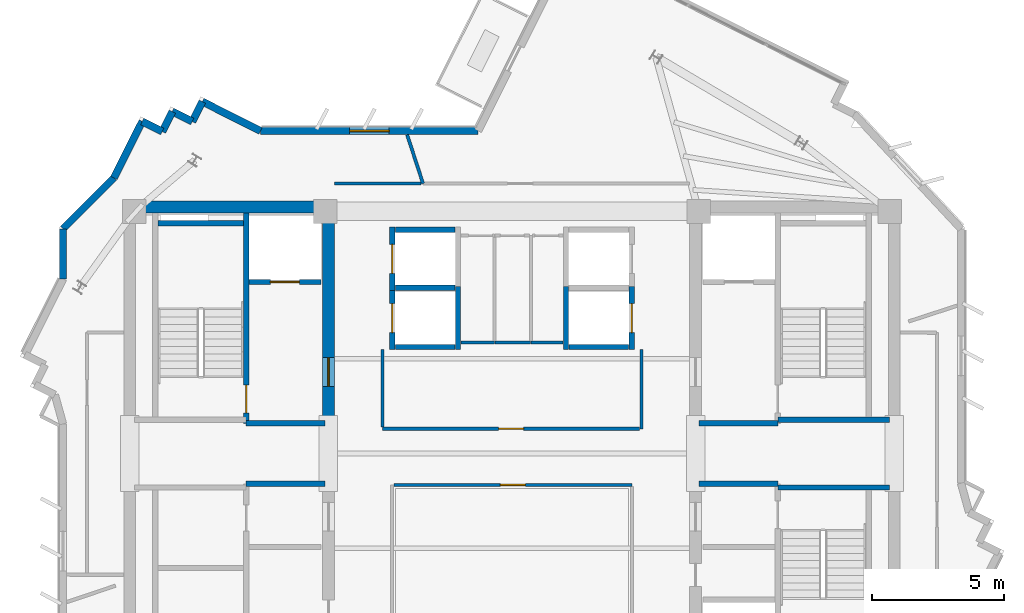
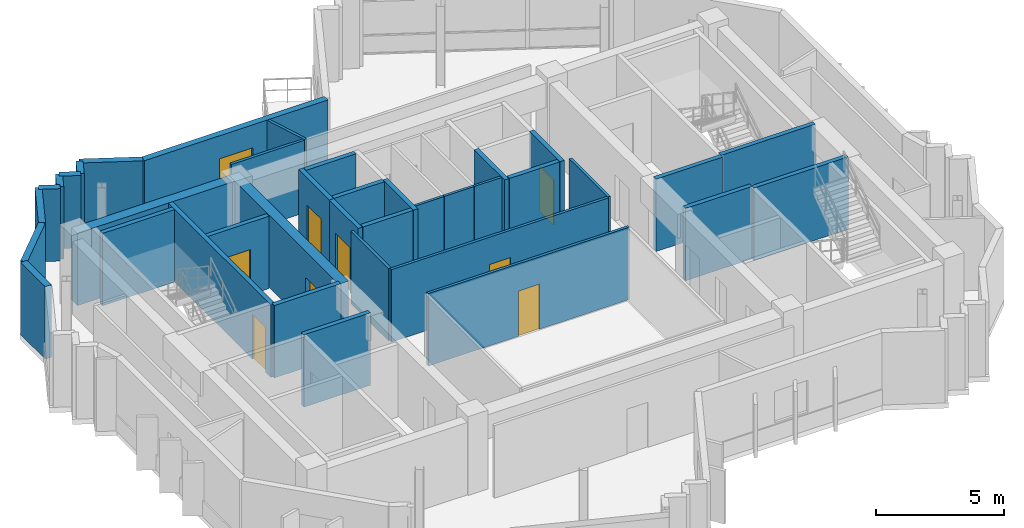
# One storey, part 7 of 11: 38 walls, 8 doors, 1 window, 9 openings.
"""IFC4 building model written with IfcOpenShell, lengths in metres."""

from ifc_helpers import new_model, si_unit, direction, frame, frame_2d, origin, place, context, subcontext, project, spatial, rectangle, extrude, source, transform, mapped, material, layer, layer_set, type_object, element, fill, save


model = new_model("IFC4")

# Units and contexts
model_context = context("Model", 3, precision=1e-05, world=origin(), true_north=direction((0.0, 1.0)))
body_context = subcontext(model_context, "Body", "Model", "MODEL_VIEW")
ifc_project = project(units=[si_unit("LENGTHUNIT", "METRE"), si_unit("AREAUNIT", "SQUARE_METRE"), si_unit("VOLUMEUNIT", "CUBIC_METRE"), si_unit("PLANEANGLEUNIT", "RADIAN"), si_unit("MASSUNIT", "GRAM", prefix="KILO")], contexts=[model_context])

# Site, building, storey
site_placement = place(None, origin())
site = spatial("IfcSite", under=ifc_project, at=site_placement, CompositionType="ELEMENT")
building_placement = place(site_placement, origin())
building = spatial("IfcBuilding", under=site, at=building_placement, Name="Zahravan Cultural Tower", CompositionType="ELEMENT")
storey_placement = place(building_placement, frame((0.0, 0.0, 357.300048828125)))
storey = spatial("IfcBuildingStorey", under=building, at=storey_placement, Name="L87", CompositionType="ELEMENT", Elevation=357.300048828125)

# Wall, opening, door
ifc_material_1 = material(Name="Concrete C50/60", Category="concrete")
ifc_layer_1 = layer(ifc_material_1, 0.449951171875)
ifc_layer_set_1 = layer_set([ifc_layer_1], Name="Concrete C50/60")
wall_type_1 = type_object("IfcWallType", Name="CW-SHEAR-450-C50", PredefinedType="SHEAR", material=ifc_layer_set_1)
wall_1_placement = place(storey_placement, frame((29.02490234375, 28.050048828125, 0.0), z_axis=(0.0, 0.0, 1.0), x_axis=(0.0, 1.0, 0.0)))
wall_1 = element("IfcWall", 1, at=wall_1_placement, inside=storey, type_object=wall_type_1, Name="L87 Core Shear Wall CW-W-EN-L87", PredefinedType="SHEAR", context=body_context, shape_type="SweptSolid", body=[
    extrude(rectangle(XDim=8.550048828125, YDim=0.449951171875, at=frame_2d((4.27490234375, 0.0))), origin(), (0.0, 0.0, 1.0), 3.449951171875),
])
opening_1_placement = place(wall_1_placement, frame((1.5, 0.0, 0.0)))
opening_1 = element("IfcOpeningElement", 2, at=opening_1_placement, cuts=wall_1, Name="Opening D-L87-06", PredefinedType="OPENING", context=body_context, shape_type="SweptSolid", body=[
    extrude(rectangle(XDim=1.10009765625, YDim=2.199951171875, at=frame_2d((0.550048828125, 1.10009765625))), frame((0.0, 0.23486328125, 0.0), z_axis=(0.0, -1.0, 0.0), x_axis=(1.0, 0.0, 0.0)), (0.0, 0.0, 1.0), 0.469970703125),
])
ifc_material_2 = material(Name="Steel ASTM A572 Grade 50", Category="steel")
door_type_1 = type_object("IfcDoorType", Name="DR-LOBBY-1100", OperationType="NOTDEFINED", PredefinedType="DOOR", material=ifc_material_2)
shared_shape_1 = source(origin(), body_context, "Body", "SweptSolid", [
    extrude(rectangle(XDim=1.10009765625, YDim=2.199951171875, at=frame_2d((0.550048828125, 1.10009765625))), frame((0.0, 0.02490234375, 0.0), z_axis=(0.0, -1.0, 0.0), x_axis=(1.0, 0.0, 0.0)), (0.0, 0.0, 1.0), 0.050048828125),
])
door_1_placement = place(opening_1_placement, origin())
door_1 = element("IfcDoor", 3, at=door_1_placement, inside=storey, type_object=door_type_1, Name="L87 Door D-L87-06", OperationType="SINGLE_SWING_LEFT", OverallHeight=2.199951171875, OverallWidth=1.10009765625, PredefinedType="DOOR", context=body_context, shape_type="MappedRepresentation", body=[
    mapped(shared_shape_1, transform((0.0, 0.0, 0.0), x_axis=(1.0, 0.0, 0.0), y_axis=(0.0, 1.0, 0.0), z_axis=(0.0, 0.0, 1.0), scale=1.0)),
])
fill(opening_1, door_1)

# Wall, opening, window
ifc_material_3 = material(Name="Precast concrete C40/50", Category="concrete")
ifc_layer_2 = layer(ifc_material_3, 0.280029296875)
ifc_layer_set_2 = layer_set([ifc_layer_2], Name="Precast concrete C40/50")
wall_type_2 = type_object("IfcWallType", Name="EW-TC-280", PredefinedType="SOLIDWALL", material=ifc_layer_set_2)
wall_2_placement = place(storey_placement, frame((26.4462890625, 39.260009765625, 0.0), z_axis=(0.0, 0.0, 1.0), x_axis=(1.0, 0.0, 0.0)))
wall_2 = element("IfcWall", 4, at=wall_2_placement, inside=storey, type_object=wall_type_2, Name="L87 Exterior Masonry Frame Wall 46", PredefinedType="SOLIDWALL", context=body_context, shape_type="SweptSolid", body=[
    extrude(rectangle(XDim=8.264892578125, YDim=0.280029296875, at=frame_2d((4.13232421875, 0.0))), origin(), (0.0, 0.0, 1.0), 3.449951171875),
])
opening_2_placement = place(wall_2_placement, frame((3.382080078125, 0.0, 0.85009765625)))
opening_2 = element("IfcOpeningElement", 5, at=opening_2_placement, cuts=wall_2, Name="Opening WN-03", PredefinedType="OPENING", context=body_context, shape_type="SweptSolid", body=[
    extrude(rectangle(XDim=1.5, YDim=1.5, at=frame_2d((0.75, 0.75))), frame((0.0, 0.14990234375, 0.0), z_axis=(0.0, -1.0, 0.0), x_axis=(1.0, 0.0, 0.0)), (0.0, 0.0, 1.0), 0.300048828125),
])
ifc_material_4 = material(Name="Low-E solar-control double glazing", Category="glass")
window_type = type_object("IfcWindowType", Name="WN-REC-1500X1500", PartitioningType="SINGLE_PANEL", PredefinedType="WINDOW", material=ifc_material_4)
shared_shape_2 = source(origin(), body_context, "Body", "SweptSolid", [
    extrude(rectangle(XDim=1.5, YDim=1.5, at=frame_2d((0.75, 0.75))), frame((0.0, 0.030029296875, 0.0), z_axis=(0.0, -1.0, 0.0), x_axis=(1.0, 0.0, 0.0)), (0.0, 0.0, 1.0), 0.06005859375),
])
window_placement = place(opening_2_placement, origin())
window = element("IfcWindow", 6, at=window_placement, inside=storey, type_object=window_type, Name="L87 Recessed Solar Window 07", OverallHeight=1.5, OverallWidth=1.5, PartitioningType="SINGLE_PANEL", PredefinedType="WINDOW", context=body_context, shape_type="MappedRepresentation", body=[
    mapped(shared_shape_2, transform((0.0, 0.0, 0.0), x_axis=(1.0, 0.0, 0.0), y_axis=(0.0, 1.0, 0.0), z_axis=(0.0, 0.0, 1.0), scale=1.0)),
])
fill(opening_2, window)

# Wall, opening, door
ifc_material_5 = material(Name="Gypsum plasterboard partition")
ifc_layer_3 = layer(ifc_material_5, 0.125)
ifc_layer_set_3 = layer_set([ifc_layer_3], Name="Gypsum plasterboard partition")
wall_type_3 = type_object("IfcWallType", Name="W-PART-125", PredefinedType="PARTITIONING", material=ifc_layer_set_3)
wall_3_placement = place(storey_placement, frame((40.8525390625, 27.93994140625, 0.0), z_axis=(0.0, 0.0, 1.0), x_axis=(-1.0, 0.0, 0.0)))
wall_3 = element("IfcWall", 7, at=wall_3_placement, inside=storey, type_object=wall_type_3, Name="L87 Interior Wall 057", PredefinedType="PARTITIONING", context=body_context, shape_type="SweptSolid", body=[
    extrude(rectangle(XDim=9.7724609375, YDim=0.125, at=frame_2d((4.88623046875, 0.0))), origin(), (0.0, 0.0, 1.0), 3.449951171875),
])
opening_3_placement = place(wall_3_placement, frame((4.411376953125, 0.0, 0.0)))
opening_3 = element("IfcOpeningElement", 8, at=opening_3_placement, cuts=wall_3, Name="Opening D-L87-16", PredefinedType="OPENING", context=body_context, shape_type="SweptSolid", body=[
    extrude(rectangle(XDim=0.949951171875, YDim=2.14990234375, at=frame_2d((0.47509765625, 1.074951171875))), frame((0.0, 0.072509765625, 0.0), z_axis=(0.0, -1.0, 0.0), x_axis=(1.0, 0.0, 0.0)), (0.0, 0.0, 1.0), 0.14501953125),
])
ifc_material_6 = material(Name="Anodised bronze-aluminium mullion", Category="aluminium")
door_type_2 = type_object("IfcDoorType", Name="DR-ROOM-950", OperationType="NOTDEFINED", PredefinedType="DOOR", material=ifc_material_6)
shared_shape_3 = source(origin(), body_context, "Body", "SweptSolid", [
    extrude(rectangle(XDim=0.949951171875, YDim=2.14990234375, at=frame_2d((0.47509765625, 1.074951171875))), frame((0.0, 0.02490234375, 0.0), z_axis=(0.0, -1.0, 0.0), x_axis=(1.0, 0.0, 0.0)), (0.0, 0.0, 1.0), 0.050048828125),
])
door_2_placement = place(opening_3_placement, origin())
door_2 = element("IfcDoor", 9, at=door_2_placement, inside=storey, type_object=door_type_2, Name="L87 Door D-L87-16", OperationType="SINGLE_SWING_LEFT", OverallHeight=2.14990234375, OverallWidth=0.949951171875, PredefinedType="DOOR", context=body_context, shape_type="MappedRepresentation", body=[
    mapped(shared_shape_3, transform((0.0, 0.0, 0.0), x_axis=(1.0, 0.0, 0.0), y_axis=(0.0, 1.0, 0.0), z_axis=(0.0, 0.0, 1.0), scale=1.0)),
])
fill(opening_3, door_2)

wall_4_placement = place(storey_placement, frame((31.507568359375, 25.81005859375, 0.0), z_axis=(0.0, 0.0, 1.0), x_axis=(1.0, 0.0, 0.0)))
wall_4 = element("IfcWall", 10, at=wall_4_placement, inside=storey, type_object=wall_type_3, Name="L87 Interior Wall 071", PredefinedType="PARTITIONING", context=body_context, shape_type="SweptSolid", body=[
    extrude(rectangle(XDim=9.052490234375, YDim=0.125, at=frame_2d((4.5263671875, 0.0))), origin(), (0.0, 0.0, 1.0), 3.449951171875),
])
opening_4_placement = place(wall_4_placement, frame((4.05126953125, 0.0, 0.0)))
opening_4 = element("IfcOpeningElement", 11, at=opening_4_placement, cuts=wall_4, Name="Opening D-L87-12", PredefinedType="OPENING", context=body_context, shape_type="SweptSolid", body=[
    extrude(rectangle(XDim=0.949951171875, YDim=2.14990234375, at=frame_2d((0.47509765625, 1.074951171875))), frame((0.0, 0.072509765625, 0.0), z_axis=(0.0, -1.0, 0.0), x_axis=(1.0, 0.0, 0.0)), (0.0, 0.0, 1.0), 0.14501953125),
])
door_3_placement = place(opening_4_placement, origin())
door_3 = element("IfcDoor", 12, at=door_3_placement, inside=storey, type_object=door_type_2, Name="L87 Door D-L87-12", OperationType="SINGLE_SWING_LEFT", OverallHeight=2.14990234375, OverallWidth=0.949951171875, PredefinedType="DOOR", context=body_context, shape_type="MappedRepresentation", body=[
    mapped(shared_shape_3, transform((0.0, 0.0, 0.0), x_axis=(1.0, 0.0, 0.0), y_axis=(0.0, 1.0, 0.0), z_axis=(0.0, 0.0, 1.0), scale=1.0)),
])
fill(opening_4, door_3)

ifc_material_7 = material(Name="Concrete C45/55", Category="concrete")
ifc_layer_4 = layer(ifc_material_7, 0.199951171875)
ifc_layer_set_4 = layer_set([ifc_layer_4], Name="Concrete C45/55")
wall_type_4 = type_object("IfcWallType", Name="W-SHAFT-200", PredefinedType="SOLIDWALL", material=ifc_layer_set_4)
wall_5_placement = place(storey_placement, frame((25.89990234375, 28.14990234375, 0.0), z_axis=(0.0, 0.0, 1.0), x_axis=(0.0, 1.0, 0.0)))
wall_5 = element("IfcWall", 13, at=wall_5_placement, inside=storey, type_object=wall_type_4, Name="L87 Interior Wall 006", PredefinedType="SOLIDWALL", context=body_context, shape_type="SweptSolid", body=[
    extrude(rectangle(XDim=8.0, YDim=0.199951171875, at=frame_2d((4.0, 0.0))), origin(), (0.0, 0.0, 1.0), 3.449951171875),
])
opening_5_placement = place(wall_5_placement, frame((0.39990234375, 0.0, 0.0)))
opening_5 = element("IfcOpeningElement", 14, at=opening_5_placement, cuts=wall_5, Name="Opening D-L87-01", PredefinedType="OPENING", context=body_context, shape_type="SweptSolid", body=[
    extrude(rectangle(XDim=1.050048828125, YDim=2.14990234375, at=frame_2d((0.52490234375, 1.074951171875))), frame((0.0, 0.10986328125, 0.0), z_axis=(0.0, -1.0, 0.0), x_axis=(1.0, 0.0, 0.0)), (0.0, 0.0, 1.0), 0.219970703125),
])
door_type_3 = type_object("IfcDoorType", Name="DR-STAIR-1050", OperationType="NOTDEFINED", PredefinedType="DOOR", material=ifc_material_2)
shared_shape_4 = source(origin(), body_context, "Body", "SweptSolid", [
    extrude(rectangle(XDim=1.050048828125, YDim=2.14990234375, at=frame_2d((0.52490234375, 1.074951171875))), frame((0.0, 0.02490234375, 0.0), z_axis=(0.0, -1.0, 0.0), x_axis=(1.0, 0.0, 0.0)), (0.0, 0.0, 1.0), 0.050048828125),
])
door_4_placement = place(opening_5_placement, origin())
door_4 = element("IfcDoor", 15, at=door_4_placement, inside=storey, type_object=door_type_3, Name="L87 Door D-L87-01", OperationType="SINGLE_SWING_RIGHT", OverallHeight=2.14990234375, OverallWidth=1.050048828125, PredefinedType="DOOR", context=body_context, shape_type="MappedRepresentation", body=[
    mapped(shared_shape_4, transform((0.0, 0.0, 0.0), x_axis=(1.0, 0.0, 0.0), y_axis=(0.0, 1.0, 0.0), z_axis=(0.0, 0.0, 1.0), scale=1.0)),
])
fill(opening_5, door_4)

wall_6_placement = place(storey_placement, frame((26.0, 33.52001953125, 0.0), z_axis=(0.0, 0.0, 1.0), x_axis=(1.0, 0.0, 0.0)))
wall_6 = element("IfcWall", 16, at=wall_6_placement, inside=storey, type_object=wall_type_4, Name="L87 Interior Wall 022", PredefinedType="SOLIDWALL", context=body_context, shape_type="SweptSolid", body=[
    extrude(rectangle(XDim=2.75, YDim=0.199951171875, at=frame_2d((1.375, 0.0))), origin(), (0.0, 0.0, 1.0), 3.449951171875),
])
opening_6_placement = place(wall_6_placement, frame((0.820068359375, 0.0, 0.0)))
opening_6 = element("IfcOpeningElement", 17, at=opening_6_placement, cuts=wall_6, Name="Opening LD-L87-01", PredefinedType="OPENING", context=body_context, shape_type="SweptSolid", body=[
    extrude(rectangle(XDim=1.10009765625, YDim=2.14990234375, at=frame_2d((0.550048828125, 1.074951171875))), frame((0.0, 0.10986328125, 0.0), z_axis=(0.0, -1.0, 0.0), x_axis=(1.0, 0.0, 0.0)), (0.0, 0.0, 1.0), 0.219970703125),
])
door_type_4 = type_object("IfcDoorType", Name="DR-LIFT-1100", OperationType="DOUBLE_DOOR_SLIDING", PredefinedType="DOOR", material=ifc_material_2)
shared_shape_5 = source(origin(), body_context, "Body", "SweptSolid", [
    extrude(rectangle(XDim=1.10009765625, YDim=2.14990234375, at=frame_2d((0.550048828125, 1.074951171875))), frame((0.0, 0.02490234375, 0.0), z_axis=(0.0, -1.0, 0.0), x_axis=(1.0, 0.0, 0.0)), (0.0, 0.0, 1.0), 0.050048828125),
])
door_5_placement = place(opening_6_placement, origin())
door_5 = element("IfcDoor", 18, at=door_5_placement, inside=storey, type_object=door_type_4, Name="L87 Door LD-L87-01", OperationType="DOUBLE_DOOR_SLIDING", OverallHeight=2.14990234375, OverallWidth=1.10009765625, PredefinedType="DOOR", context=body_context, shape_type="MappedRepresentation", body=[
    mapped(shared_shape_5, transform((0.0, 0.0, 0.0), x_axis=(1.0, 0.0, 0.0), y_axis=(0.0, 1.0, 0.0), z_axis=(0.0, 0.0, 1.0), scale=1.0)),
])
fill(opening_6, door_5)

wall_7_placement = place(storey_placement, frame((31.449951171875, 33.199951171875, 0.0), z_axis=(0.0, 0.0, 1.0), x_axis=(0.0, 1.0, 0.0)))
wall_7 = element("IfcWall", 19, at=wall_7_placement, inside=storey, type_object=wall_type_4, Name="L87 Interior Wall 027", PredefinedType="SOLIDWALL", context=body_context, shape_type="SweptSolid", body=[
    extrude(rectangle(XDim=2.400146484375, YDim=0.199951171875, at=frame_2d((1.2001953125, 0.0))), origin(), (0.0, 0.0, 1.0), 3.449951171875),
])
opening_7_placement = place(wall_7_placement, frame((0.64990234375, 0.0, 0.0)))
opening_7 = element("IfcOpeningElement", 20, at=opening_7_placement, cuts=wall_7, Name="Opening LD-L87-04", PredefinedType="OPENING", context=body_context, shape_type="SweptSolid", body=[
    extrude(rectangle(XDim=1.10009765625, YDim=2.14990234375, at=frame_2d((0.550048828125, 1.074951171875))), frame((0.0, 0.10986328125, 0.0), z_axis=(0.0, -1.0, 0.0), x_axis=(1.0, 0.0, 0.0)), (0.0, 0.0, 1.0), 0.219970703125),
])
door_6_placement = place(opening_7_placement, origin())
door_6 = element("IfcDoor", 21, at=door_6_placement, inside=storey, type_object=door_type_4, Name="L87 Door LD-L87-04", OperationType="DOUBLE_DOOR_SLIDING", OverallHeight=2.14990234375, OverallWidth=1.10009765625, PredefinedType="DOOR", context=body_context, shape_type="MappedRepresentation", body=[
    mapped(shared_shape_5, transform((0.0, 0.0, 0.0), x_axis=(1.0, 0.0, 0.0), y_axis=(0.0, 1.0, 0.0), z_axis=(0.0, 0.0, 1.0), scale=1.0)),
])
fill(opening_7, door_6)

wall_8_placement = place(storey_placement, frame((31.449951171875, 30.949951171875, 0.0), z_axis=(0.0, 0.0, 1.0), x_axis=(0.0, 1.0, 0.0)))
wall_8 = element("IfcWall", 22, at=wall_8_placement, inside=storey, type_object=wall_type_4, Name="L87 Interior Wall 031", PredefinedType="SOLIDWALL", context=body_context, shape_type="SweptSolid", body=[
    extrude(rectangle(XDim=2.400146484375, YDim=0.199951171875, at=frame_2d((1.2001953125, 0.0))), origin(), (0.0, 0.0, 1.0), 3.449951171875),
])
opening_8_placement = place(wall_8_placement, frame((0.64990234375, 0.0, 0.0)))
opening_8 = element("IfcOpeningElement", 23, at=opening_8_placement, cuts=wall_8, Name="Opening LD-L87-05", PredefinedType="OPENING", context=body_context, shape_type="SweptSolid", body=[
    extrude(rectangle(XDim=1.10009765625, YDim=2.14990234375, at=frame_2d((0.550048828125, 1.074951171875))), frame((0.0, 0.10986328125, 0.0), z_axis=(0.0, -1.0, 0.0), x_axis=(1.0, 0.0, 0.0)), (0.0, 0.0, 1.0), 0.219970703125),
])
door_7_placement = place(opening_8_placement, origin())
door_7 = element("IfcDoor", 24, at=door_7_placement, inside=storey, type_object=door_type_4, Name="L87 Door LD-L87-05", OperationType="DOUBLE_DOOR_SLIDING", OverallHeight=2.14990234375, OverallWidth=1.10009765625, PredefinedType="DOOR", context=body_context, shape_type="MappedRepresentation", body=[
    mapped(shared_shape_5, transform((0.0, 0.0, 0.0), x_axis=(1.0, 0.0, 0.0), y_axis=(0.0, 1.0, 0.0), z_axis=(0.0, 0.0, 1.0), scale=1.0)),
])
fill(opening_8, door_7)

wall_9_placement = place(storey_placement, frame((40.550048828125, 30.949951171875, 0.0), z_axis=(0.0, 0.0, 1.0), x_axis=(0.0, 1.0, 0.0)))
wall_9 = element("IfcWall", 25, at=wall_9_placement, inside=storey, type_object=wall_type_4, Name="L87 Interior Wall 039", PredefinedType="SOLIDWALL", context=body_context, shape_type="SweptSolid", body=[
    extrude(rectangle(XDim=2.400146484375, YDim=0.199951171875, at=frame_2d((1.2001953125, 0.0))), origin(), (0.0, 0.0, 1.0), 3.449951171875),
])
opening_9_placement = place(wall_9_placement, frame((0.64990234375, 0.0, 0.0)))
opening_9 = element("IfcOpeningElement", 26, at=opening_9_placement, cuts=wall_9, Name="Opening LD-L87-07", PredefinedType="OPENING", context=body_context, shape_type="SweptSolid", body=[
    extrude(rectangle(XDim=1.10009765625, YDim=2.14990234375, at=frame_2d((0.550048828125, 1.074951171875))), frame((0.0, 0.10986328125, 0.0), z_axis=(0.0, -1.0, 0.0), x_axis=(1.0, 0.0, 0.0)), (0.0, 0.0, 1.0), 0.219970703125),
])
door_8_placement = place(opening_9_placement, origin())
door_8 = element("IfcDoor", 27, at=door_8_placement, inside=storey, type_object=door_type_4, Name="L87 Door LD-L87-07", OperationType="DOUBLE_DOOR_SLIDING", OverallHeight=2.14990234375, OverallWidth=1.10009765625, PredefinedType="DOOR", context=body_context, shape_type="MappedRepresentation", body=[
    mapped(shared_shape_5, transform((0.0, 0.0, 0.0), x_axis=(1.0, 0.0, 0.0), y_axis=(0.0, 1.0, 0.0), z_axis=(0.0, 0.0, 1.0), scale=1.0)),
])
fill(opening_9, door_8)

# Walls
shared_shape_6 = source(origin(), body_context, "Body", "SweptSolid", [
    extrude(rectangle(XDim=7.10009765625, YDim=0.449951171875, at=frame_2d((3.550048828125, 0.0))), origin(), (0.0, 0.0, 1.0), 3.449951171875),
])
wall_10_placement = place(storey_placement, frame((21.699951171875, 36.375, 0.0), z_axis=(0.0, 0.0, 1.0), x_axis=(1.0, 0.0, 0.0)))
element("IfcWall", 28, at=wall_10_placement, inside=storey, type_object=wall_type_1, Name="L87 Core Shear Wall CW-W-N-L87", PredefinedType="SHEAR", context=body_context, shape_type="MappedRepresentation", body=[
    mapped(shared_shape_6, transform((0.0, 0.0, 0.0), x_axis=(1.0, 0.0, 0.0), y_axis=(0.0, 1.0, 0.0), z_axis=(0.0, 0.0, 1.0), scale=1.0)),
])
shared_shape_7 = source(origin(), body_context, "Body", "SweptSolid", [
    extrude(rectangle(XDim=0.849853515625, YDim=0.280029296875, at=frame_2d((0.4248046875, 0.0))), origin(), (0.0, 0.0, 1.0), 3.449951171875),
])
for number, where, z_axis, x_axis, name in (
    (29, (21.951416015625, 39.61767578125, 0.0), (0.0, 0.0, 1.0), (0.89339064965, -0.449280699695, 0.0), "L87 Exterior Masonry Frame Wall 41"),
    (30, (23.0927734375, 39.9951171875, 0.0), (0.0, 0.0, 1.0), (0.89339064965, -0.449280699695, 0.0), "L87 Exterior Masonry Frame Wall 43"),
    (31, (23.85205078125, 39.61328125, 0.0), (0.0, 0.0, 1.0), (0.449280699695, 0.89339064965, 0.0), "L87 Exterior Masonry Frame Wall 44"),
):
    element("IfcWall", number, at=place(storey_placement, frame(where, z_axis=z_axis, x_axis=x_axis)), inside=storey, type_object=wall_type_2, Name=name, PredefinedType="SOLIDWALL", context=body_context, shape_type="MappedRepresentation", body=[
        mapped(shared_shape_7, transform((0.0, 0.0, 0.0), x_axis=(1.0, 0.0, 0.0), y_axis=(0.0, 1.0, 0.0), z_axis=(0.0, 0.0, 1.0), scale=1.0)),
    ])
shared_shape_8 = source(origin(), body_context, "Body", "SweptSolid", [
    extrude(rectangle(XDim=0.85009765625, YDim=0.280029296875, at=frame_2d((0.425048828125, 0.0))), origin(), (0.0, 0.0, 1.0), 3.449951171875),
])
wall_11_placement = place(storey_placement, frame((22.710693359375, 39.23583984375, 0.0), z_axis=(0.0, 0.0, 1.0), x_axis=(0.449509934066, 0.893275332233, 0.0)))
element("IfcWall", 32, at=wall_11_placement, inside=storey, type_object=wall_type_2, Name="L87 Exterior Masonry Frame Wall 42", PredefinedType="SOLIDWALL", context=body_context, shape_type="MappedRepresentation", body=[
    mapped(shared_shape_8, transform((0.0, 0.0, 0.0), x_axis=(1.0, 0.0, 0.0), y_axis=(0.0, 1.0, 0.0), z_axis=(0.0, 0.0, 1.0), scale=1.0)),
])
shared_shape_9 = source(origin(), body_context, "Body", "SweptSolid", [
    extrude(rectangle(XDim=1.911865234375, YDim=0.280029296875, at=frame_2d((0.9560546875, 0.0))), origin(), (0.0, 0.0, 1.0), 3.449951171875),
])
wall_12_placement = place(storey_placement, frame((18.93994140625, 33.630126953125, 0.0), z_axis=(0.0, 0.0, 1.0), x_axis=(0.0, 1.0, 0.0)))
element("IfcWall", 33, at=wall_12_placement, inside=storey, type_object=wall_type_2, Name="L87 Exterior Masonry Frame Wall 38", PredefinedType="SOLIDWALL", context=body_context, shape_type="MappedRepresentation", body=[
    mapped(shared_shape_9, transform((0.0, 0.0, 0.0), x_axis=(1.0, 0.0, 0.0), y_axis=(0.0, 1.0, 0.0), z_axis=(0.0, 0.0, 1.0), scale=1.0)),
])
shared_shape_10 = source(origin(), body_context, "Body", "SweptSolid", [
    extrude(rectangle(XDim=2.73583984375, YDim=0.280029296875, at=frame_2d((1.367919921875, 0.0))), origin(), (0.0, 0.0, 1.0), 3.449951171875),
])
wall_13_placement = place(storey_placement, frame((18.93994140625, 35.5419921875, 0.0), z_axis=(0.0, 0.0, 1.0), x_axis=(0.707106781187, 0.707106781187, 0.0)))
element("IfcWall", 34, at=wall_13_placement, inside=storey, type_object=wall_type_2, Name="L87 Exterior Masonry Frame Wall 39", PredefinedType="SOLIDWALL", context=body_context, shape_type="MappedRepresentation", body=[
    mapped(shared_shape_10, transform((0.0, 0.0, 0.0), x_axis=(1.0, 0.0, 0.0), y_axis=(0.0, 1.0, 0.0), z_axis=(0.0, 0.0, 1.0), scale=1.0)),
])
shared_shape_11 = source(origin(), body_context, "Body", "SweptSolid", [
    extrude(rectangle(XDim=2.396728515625, YDim=0.280029296875, at=frame_2d((1.1982421875, 0.0))), origin(), (0.0, 0.0, 1.0), 3.449951171875),
])
wall_14_placement = place(storey_placement, frame((20.87451171875, 37.4765625, 0.0), z_axis=(0.0, 0.0, 1.0), x_axis=(0.449331154558, 0.893365274422, 0.0)))
element("IfcWall", 35, at=wall_14_placement, inside=storey, type_object=wall_type_2, Name="L87 Exterior Masonry Frame Wall 40", PredefinedType="SOLIDWALL", context=body_context, shape_type="MappedRepresentation", body=[
    mapped(shared_shape_11, transform((0.0, 0.0, 0.0), x_axis=(1.0, 0.0, 0.0), y_axis=(0.0, 1.0, 0.0), z_axis=(0.0, 0.0, 1.0), scale=1.0)),
])
shared_shape_12 = source(origin(), body_context, "Body", "SweptSolid", [
    extrude(rectangle(XDim=2.476318359375, YDim=0.280029296875, at=frame_2d((1.23828125, 0.0))), origin(), (0.0, 0.0, 1.0), 3.449951171875),
])
wall_15_placement = place(storey_placement, frame((24.23388671875, 40.37255859375, 0.0), z_axis=(0.0, 0.0, 1.0), x_axis=(0.893399530761, -0.449263039249, 0.0)))
element("IfcWall", 36, at=wall_15_placement, inside=storey, type_object=wall_type_2, Name="L87 Exterior Masonry Frame Wall 45", PredefinedType="SOLIDWALL", context=body_context, shape_type="MappedRepresentation", body=[
    mapped(shared_shape_12, transform((0.0, 0.0, 0.0), x_axis=(1.0, 0.0, 0.0), y_axis=(0.0, 1.0, 0.0), z_axis=(0.0, 0.0, 1.0), scale=1.0)),
])
shared_shape_13 = source(origin(), body_context, "Body", "SweptSolid", [
    extrude(rectangle(XDim=4.25, YDim=0.199951171875, at=frame_2d((2.125, 0.0))), origin(), (0.0, 0.0, 1.0), 3.449951171875),
])
for number, where, z_axis, x_axis, name in (
    (37, (46.10009765625, 25.715087890625, 0.0), (0.0, 0.0, 1.0), (1.0, 0.0, 0.0), "L87 Interior Wall 014"),
    (38, (46.10009765625, 28.284912109375, 0.0), (0.0, 0.0, 1.0), (1.0, 0.0, 0.0), "L87 Interior Wall 016"),
):
    element("IfcWall", number, at=place(storey_placement, frame(where, z_axis=z_axis, x_axis=x_axis)), inside=storey, type_object=wall_type_4, Name=name, PredefinedType="SOLIDWALL", context=body_context, shape_type="MappedRepresentation", body=[
        mapped(shared_shape_13, transform((0.0, 0.0, 0.0), x_axis=(1.0, 0.0, 0.0), y_axis=(0.0, 1.0, 0.0), z_axis=(0.0, 0.0, 1.0), scale=1.0)),
    ])
shared_shape_14 = source(origin(), body_context, "Body", "SweptSolid", [
    extrude(rectangle(XDim=3.0, YDim=0.199951171875, at=frame_2d((1.5, 0.0))), origin(), (0.0, 0.0, 1.0), 3.449951171875),
])
for number, where, z_axis, x_axis, name in (
    (39, (25.89990234375, 25.85009765625, 0.0), (0.0, 0.0, 1.0), (1.0, 0.0, 0.0), "L87 Interior Wall 010"),
    (40, (25.89990234375, 28.14990234375, 0.0), (0.0, 0.0, 1.0), (1.0, 0.0, 0.0), "L87 Interior Wall 012"),
    (41, (43.10009765625, 25.85009765625, 0.0), (0.0, 0.0, 1.0), (1.0, 0.0, 0.0), "L87 Interior Wall 013"),
    (42, (43.10009765625, 28.14990234375, 0.0), (0.0, 0.0, 1.0), (1.0, 0.0, 0.0), "L87 Interior Wall 015"),
):
    element("IfcWall", number, at=place(storey_placement, frame(where, z_axis=z_axis, x_axis=x_axis)), inside=storey, type_object=wall_type_4, Name=name, PredefinedType="SOLIDWALL", context=body_context, shape_type="MappedRepresentation", body=[
        mapped(shared_shape_14, transform((0.0, 0.0, 0.0), x_axis=(1.0, 0.0, 0.0), y_axis=(0.0, 1.0, 0.0), z_axis=(0.0, 0.0, 1.0), scale=1.0)),
    ])
shared_shape_15 = source(origin(), body_context, "Body", "SweptSolid", [
    extrude(rectangle(XDim=3.25, YDim=0.199951171875, at=frame_2d((1.625, 0.0))), origin(), (0.0, 0.0, 1.0), 3.449951171875),
])
wall_16_placement = place(storey_placement, frame((22.550048828125, 35.75, 0.0), z_axis=(0.0, 0.0, 1.0), x_axis=(1.0, 0.0, 0.0)))
element("IfcWall", 43, at=wall_16_placement, inside=storey, type_object=wall_type_4, Name="L87 Interior Wall 017", PredefinedType="SOLIDWALL", context=body_context, shape_type="MappedRepresentation", body=[
    mapped(shared_shape_15, transform((0.0, 0.0, 0.0), x_axis=(1.0, 0.0, 0.0), y_axis=(0.0, 1.0, 0.0), z_axis=(0.0, 0.0, 1.0), scale=1.0)),
])
shared_shape_16 = source(origin(), body_context, "Body", "SweptSolid", [
    extrude(rectangle(XDim=2.400146484375, YDim=0.199951171875, at=frame_2d((1.2001953125, 0.0))), origin(), (0.0, 0.0, 1.0), 3.449951171875),
])
for number, where, z_axis, x_axis, name in (
    (44, (33.949951171875, 30.949951171875, 0.0), (0.0, 0.0, 1.0), (0.0, 1.0, 0.0), "L87 Interior Wall 032"),
    (45, (38.050048828125, 30.949951171875, 0.0), (0.0, 0.0, 1.0), (0.0, 1.0, 0.0), "L87 Interior Wall 038"),
):
    element("IfcWall", number, at=place(storey_placement, frame(where, z_axis=z_axis, x_axis=x_axis)), inside=storey, type_object=wall_type_4, Name=name, PredefinedType="SOLIDWALL", context=body_context, shape_type="MappedRepresentation", body=[
        mapped(shared_shape_16, transform((0.0, 0.0, 0.0), x_axis=(1.0, 0.0, 0.0), y_axis=(0.0, 1.0, 0.0), z_axis=(0.0, 0.0, 1.0), scale=1.0)),
    ])
shared_shape_17 = source(origin(), body_context, "Body", "SweptSolid", [
    extrude(rectangle(XDim=2.260009765625, YDim=0.199951171875, at=frame_2d((1.1298828125, 0.0))), origin(), (0.0, 0.0, 1.0), 3.449951171875),
])
for number, where, z_axis, x_axis, name in (
    (46, (31.570068359375, 33.300048828125, 0.0), (0.0, 0.0, 1.0), (1.0, 0.0, 0.0), "L87 Interior Wall 029"),
    (47, (31.570068359375, 35.5, 0.0), (0.0, 0.0, 1.0), (1.0, 0.0, 0.0), "L87 Interior Wall 030"),
    (48, (31.570068359375, 31.050048828125, 0.0), (0.0, 0.0, 1.0), (1.0, 0.0, 0.0), "L87 Interior Wall 033"),
    (49, (38.169921875, 31.050048828125, 0.0), (0.0, 0.0, 1.0), (1.0, 0.0, 0.0), "L87 Interior Wall 040"),
):
    element("IfcWall", number, at=place(storey_placement, frame(where, z_axis=z_axis, x_axis=x_axis)), inside=storey, type_object=wall_type_4, Name=name, PredefinedType="SOLIDWALL", context=body_context, shape_type="MappedRepresentation", body=[
        mapped(shared_shape_17, transform((0.0, 0.0, 0.0), x_axis=(1.0, 0.0, 0.0), y_axis=(0.0, 1.0, 0.0), z_axis=(0.0, 0.0, 1.0), scale=1.0)),
    ])
ifc_layer_5 = layer(ifc_material_5, 0.114990234375)
ifc_layer_set_5 = layer_set([ifc_layer_5], Name="Gypsum plasterboard partition")
wall_type_5 = type_object("IfcWallType", Name="W-WC-115", PredefinedType="PARTITIONING", material=ifc_layer_set_5)
shared_shape_18 = source(origin(), body_context, "Body", "SweptSolid", [
    extrude(rectangle(XDim=1.22509765625, YDim=0.114990234375, at=frame_2d((0.612548828125, 0.0))), origin(), (0.0, 0.0, 1.0), 3.449951171875),
])
wall_17_placement = place(storey_placement, frame((37.945068359375, 31.219970703125, 0.0), z_axis=(0.0, 0.0, 1.0), x_axis=(-1.0, 0.0, 0.0)))
element("IfcWall", 50, at=wall_17_placement, inside=storey, type_object=wall_type_5, Name="L87 Interior Wall 041", PredefinedType="PARTITIONING", context=body_context, shape_type="MappedRepresentation", body=[
    mapped(shared_shape_18, transform((0.0, 0.0, 0.0), x_axis=(1.0, 0.0, 0.0), y_axis=(0.0, 1.0, 0.0), z_axis=(0.0, 0.0, 1.0), scale=1.0)),
])
shared_shape_19 = source(origin(), body_context, "Body", "SweptSolid", [
    extrude(rectangle(XDim=1.28515625, YDim=0.114990234375, at=frame_2d((0.642578125, 0.0))), origin(), (0.0, 0.0, 1.0), 3.449951171875),
])
wall_18_placement = place(storey_placement, frame((35.340087890625, 31.219970703125, 0.0), z_axis=(0.0, 0.0, 1.0), x_axis=(-1.0, 0.0, 0.0)))
element("IfcWall", 51, at=wall_18_placement, inside=storey, type_object=wall_type_5, Name="L87 Interior Wall 044", PredefinedType="PARTITIONING", context=body_context, shape_type="MappedRepresentation", body=[
    mapped(shared_shape_19, transform((0.0, 0.0, 0.0), x_axis=(1.0, 0.0, 0.0), y_axis=(0.0, 1.0, 0.0), z_axis=(0.0, 0.0, 1.0), scale=1.0)),
])
shared_shape_20 = source(origin(), body_context, "Body", "SweptSolid", [
    extrude(rectangle(XDim=1.33984375, YDim=0.114990234375, at=frame_2d((0.669921875, 0.0))), origin(), (0.0, 0.0, 1.0), 3.449951171875),
])
wall_19_placement = place(storey_placement, frame((36.699951171875, 31.219970703125, 0.0), z_axis=(0.0, 0.0, 1.0), x_axis=(-1.0, 0.0, 0.0)))
element("IfcWall", 52, at=wall_19_placement, inside=storey, type_object=wall_type_5, Name="L87 Interior Wall 047", PredefinedType="PARTITIONING", context=body_context, shape_type="MappedRepresentation", body=[
    mapped(shared_shape_20, transform((0.0, 0.0, 0.0), x_axis=(1.0, 0.0, 0.0), y_axis=(0.0, 1.0, 0.0), z_axis=(0.0, 0.0, 1.0), scale=1.0)),
])
shared_shape_21 = source(origin(), body_context, "Body", "SweptSolid", [
    extrude(rectangle(XDim=3.010009765625, YDim=0.125, at=frame_2d((1.5048828125, 0.0))), origin(), (0.0, 0.0, 1.0), 3.449951171875),
])
wall_20_placement = place(storey_placement, frame((40.919921875, 30.949951171875, 0.0), z_axis=(0.0, 0.0, 1.0), x_axis=(0.0, -1.0, 0.0)))
element("IfcWall", 53, at=wall_20_placement, inside=storey, type_object=wall_type_3, Name="L87 Interior Wall 056", PredefinedType="PARTITIONING", context=body_context, shape_type="MappedRepresentation", body=[
    mapped(shared_shape_21, transform((0.0, 0.0, 0.0), x_axis=(1.0, 0.0, 0.0), y_axis=(0.0, 1.0, 0.0), z_axis=(0.0, 0.0, 1.0), scale=1.0)),
])
shared_shape_22 = source(origin(), body_context, "Body", "SweptSolid", [
    extrude(rectangle(XDim=2.9423828125, YDim=0.125, at=frame_2d((1.47119140625, 0.0))), origin(), (0.0, 0.0, 1.0), 3.449951171875),
])
wall_21_placement = place(storey_placement, frame((31.080078125, 28.007568359375, 0.0), z_axis=(0.0, 0.0, 1.0), x_axis=(0.0, 1.0, 0.0)))
element("IfcWall", 54, at=wall_21_placement, inside=storey, type_object=wall_type_3, Name="L87 Interior Wall 058", PredefinedType="PARTITIONING", context=body_context, shape_type="MappedRepresentation", body=[
    mapped(shared_shape_22, transform((0.0, 0.0, 0.0), x_axis=(1.0, 0.0, 0.0), y_axis=(0.0, 1.0, 0.0), z_axis=(0.0, 0.0, 1.0), scale=1.0)),
])
shared_shape_23 = source(origin(), body_context, "Body", "SweptSolid", [
    extrude(rectangle(XDim=1.95068359375, YDim=0.125, at=frame_2d((0.975341796875, 0.0))), origin(), (0.0, 0.0, 1.0), 3.449951171875),
])
wall_22_placement = place(storey_placement, frame((32.01611328125, 39.114990234375, 0.0), z_axis=(0.0, 0.0, 1.0), x_axis=(0.309499205232, -0.950899701315, 0.0)))
element("IfcWall", 55, at=wall_22_placement, inside=storey, type_object=wall_type_3, Name="L87 Interior Wall 065", PredefinedType="PARTITIONING", context=body_context, shape_type="MappedRepresentation", body=[
    mapped(shared_shape_23, transform((0.0, 0.0, 0.0), x_axis=(1.0, 0.0, 0.0), y_axis=(0.0, 1.0, 0.0), z_axis=(0.0, 0.0, 1.0), scale=1.0)),
])
shared_shape_24 = source(origin(), body_context, "Body", "SweptSolid", [
    extrude(rectangle(XDim=3.29296875, YDim=0.125, at=frame_2d((1.646484375, 0.0))), origin(), (0.0, 0.0, 1.0), 3.449951171875),
])
wall_23_placement = place(storey_placement, frame((32.548828125, 37.260009765625, 0.0), z_axis=(0.0, 0.0, 1.0), x_axis=(-1.0, 0.0, 0.0)))
element("IfcWall", 56, at=wall_23_placement, inside=storey, type_object=wall_type_3, Name="L87 Interior Wall 066", PredefinedType="PARTITIONING", context=body_context, shape_type="MappedRepresentation", body=[
    mapped(shared_shape_24, transform((0.0, 0.0, 0.0), x_axis=(1.0, 0.0, 0.0), y_axis=(0.0, 1.0, 0.0), z_axis=(0.0, 0.0, 1.0), scale=1.0)),
])

save(model, "model.ifc")
